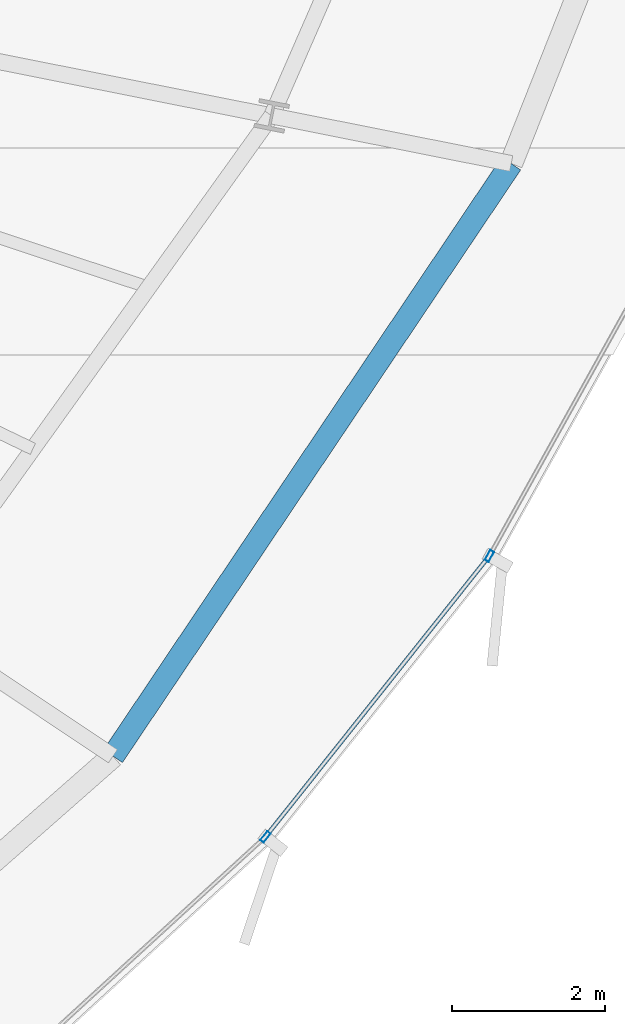
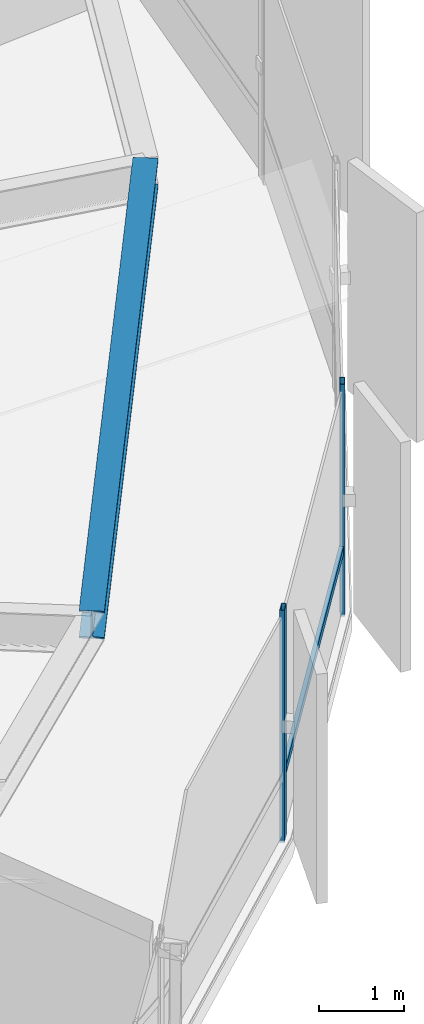
# One storey, part 14 of 35: 3 members, 1 beam, 1 element without a shape of its own.
"""IFC4 building model written with IfcOpenShell, lengths in metres."""

from ifc_helpers import new_model, si_unit, direction, frame, origin, origin_2d, place, context, subcontext, project, spatial, hollow_rectangle, i_section, extrude, source, transform, mapped, material, layer, layer_set, material_profile, profile_set, type_object, element, aggregate, save


model = new_model("IFC4")

# Units and contexts
model_context = context("Model", 3, precision=1e-05, world=origin(), true_north=direction((0.0, 1.0)))
body_context = subcontext(model_context, "Body", "Model", "MODEL_VIEW")
ifc_project = project(units=[si_unit("LENGTHUNIT", "METRE"), si_unit("AREAUNIT", "SQUARE_METRE"), si_unit("VOLUMEUNIT", "CUBIC_METRE"), si_unit("PLANEANGLEUNIT", "RADIAN"), si_unit("MASSUNIT", "GRAM", prefix="KILO"), si_unit("THERMODYNAMICTEMPERATUREUNIT", "KELVIN")], contexts=[model_context])

# Site, building, storey
site_placement = place(None, origin())
site = spatial("IfcSite", under=ifc_project, at=site_placement, CompositionType="ELEMENT")
building_placement = place(site_placement, origin())
building = spatial("IfcBuilding", under=site, at=building_placement, Name="Kethvar Cultural Tower", CompositionType="ELEMENT")
storey_placement = place(building_placement, frame((0.0, 0.0, 121.60009765625)))
storey = spatial("IfcBuildingStorey", under=building, at=storey_placement, Name="L30", CompositionType="ELEMENT", Elevation=121.60009765625)

# Beam
ifc_material_1 = material(Name="Steel S355J2", Category="steel")
ifc_material_profile_1 = material_profile(ifc_material_1, i_section(OverallWidth=0.300048828125, OverallDepth=0.39990234375, WebThickness=0.013427734375, FlangeThickness=0.02392578125, FilletRadius=0.027099609375, at=origin_2d()), Name="Steel S355J2 — HEB400")
ifc_profile_set_1 = profile_set([ifc_material_profile_1], Name="Steel S355J2 — HEB400")
beam_type = type_object("IfcBeamType", Name="BM-SP400", PredefinedType="SPANDREL", material=ifc_profile_set_1)
shared_shape_1 = source(origin(), body_context, "Body", "SweptSolid", [
    extrude(i_section(OverallWidth=0.300048828125, OverallDepth=0.39990234375, WebThickness=0.013427734375, FlangeThickness=0.02392578125, FilletRadius=0.027099609375, at=origin_2d()), origin(), (0.0, 0.0, 1.0), 9.355224609375),
])
beam_placement = place(storey_placement, frame((65.559326171875, 15.265380859375, 3.14794921875), z_axis=(0.557731714622, 0.830021285573, 0.0), x_axis=(-0.830021285573, 0.557731714622, 0.0)))
element("IfcBeam", 1, at=beam_placement, inside=storey, type_object=beam_type, Name="L30 Perimeter Spandrel Beam SP-15", PredefinedType="SPANDREL", context=body_context, shape_type="MappedRepresentation", body=[
    mapped(shared_shape_1, transform((0.0, 0.0, 0.0), scale=1.0)),
])

# Curtain wall, members
ifc_material_2 = material(Name="Aluminium 6063-T6", Category="aluminium")
ifc_layer = layer(ifc_material_2, 0.179931640625, Name="Aluminium 6063-T6", Category="aluminium")
ifc_layer_set = layer_set([ifc_layer], Name="Aluminium 6063-T6 (180 mm)")
curtain_wall_type = type_object("IfcCurtainWallType", Name="CW-SYS-03-Z2", PredefinedType="NOTDEFINED", material=ifc_layer_set)
curtain_wall_placement = place(storey_placement, origin())
curtain_wall = element("IfcCurtainWall", 2, at=curtain_wall_placement, inside=storey, type_object=curtain_wall_type, Name="L30 Curtain Wall Run 06", PredefinedType="NOTDEFINED")
ifc_material_profile_2 = material_profile(ifc_material_2, hollow_rectangle(XDim=0.06005859375, YDim=0.14990234375, WallThickness=0.0048828125, at=origin_2d()), Name="Aluminium 6063-T6 — RHS150x60x5")
ifc_profile_set_2 = profile_set([ifc_material_profile_2], Name="Aluminium 6063-T6 — RHS150x60x5")
member_type_1 = type_object("IfcMemberType", Name="CW-SYS-03-Z2-MUL", PredefinedType="MULLION", material=ifc_profile_set_2)
shared_shape_2 = source(origin(), body_context, "Body", "SweptSolid", [
    extrude(hollow_rectangle(XDim=0.06005859375, YDim=0.14990234375, WallThickness=0.0048828125, at=origin_2d()), origin(), (0.0, 0.0, 1.0), 3.349853515625),
])
member_1_placement = place(storey_placement, frame((67.556884765625, 14.207275390625, 0.0), z_axis=(0.0, 0.0, 1.0), x_axis=(-0.78212986921, 0.623115452938, 0.0)))
member_1 = element("IfcMember", 3, at=member_1_placement, type_object=member_type_1, Name="CW-L30-R06 Mullion 4", PredefinedType="MULLION", context=body_context, shape_type="MappedRepresentation", body=[
    mapped(shared_shape_2, transform((0.0, 0.0, 0.0), scale=1.0)),
])
member_2_placement = place(storey_placement, frame((70.4912109375, 17.8876953125, 0.0), z_axis=(0.0, 0.0, 1.0), x_axis=(-0.874145444111, 0.485664228187, 0.0)))
member_2 = element("IfcMember", 4, at=member_2_placement, type_object=member_type_1, Name="CW-L30-R06 Mullion 5", PredefinedType="MULLION", context=body_context, shape_type="MappedRepresentation", body=[
    mapped(shared_shape_2, transform((0.0, 0.0, 0.0), scale=1.0)),
])
ifc_material_profile_3 = material_profile(ifc_material_2, hollow_rectangle(XDim=0.054931640625, YDim=0.1201171875, WallThickness=0.00390625, at=origin_2d()), Name="Aluminium 6063-T6 — RHS120x55x4")
ifc_profile_set_3 = profile_set([ifc_material_profile_3], Name="Aluminium 6063-T6 — RHS120x55x4")
member_type_2 = type_object("IfcMemberType", Name="CW-SYS-03-Z2-TRN", PredefinedType="USERDEFINED", material=ifc_profile_set_3)
shared_shape_3 = source(origin(), body_context, "Body", "SweptSolid", [
    extrude(hollow_rectangle(XDim=0.054931640625, YDim=0.1201171875, WallThickness=0.00390625, at=origin_2d()), origin(), (0.0, 0.0, 1.0), 4.639404296875),
])
member_3_placement = place(storey_placement, frame((67.583740234375, 14.240966796875, 0.949951171875), z_axis=(0.623108653789, 0.782135285979, 0.0), x_axis=(-0.782135285979, 0.623108653789, 0.0)))
member_3 = element("IfcMember", 5, at=member_3_placement, type_object=member_type_2, Name="CW-L30-R06 Transom 4", ObjectType="TRANSOM", PredefinedType="USERDEFINED", context=body_context, shape_type="MappedRepresentation", body=[
    mapped(shared_shape_3, transform((0.0, 0.0, 0.0), scale=1.0)),
])
aggregate(curtain_wall, [member_1, member_2, member_3])

save(model, "model.ifc")
